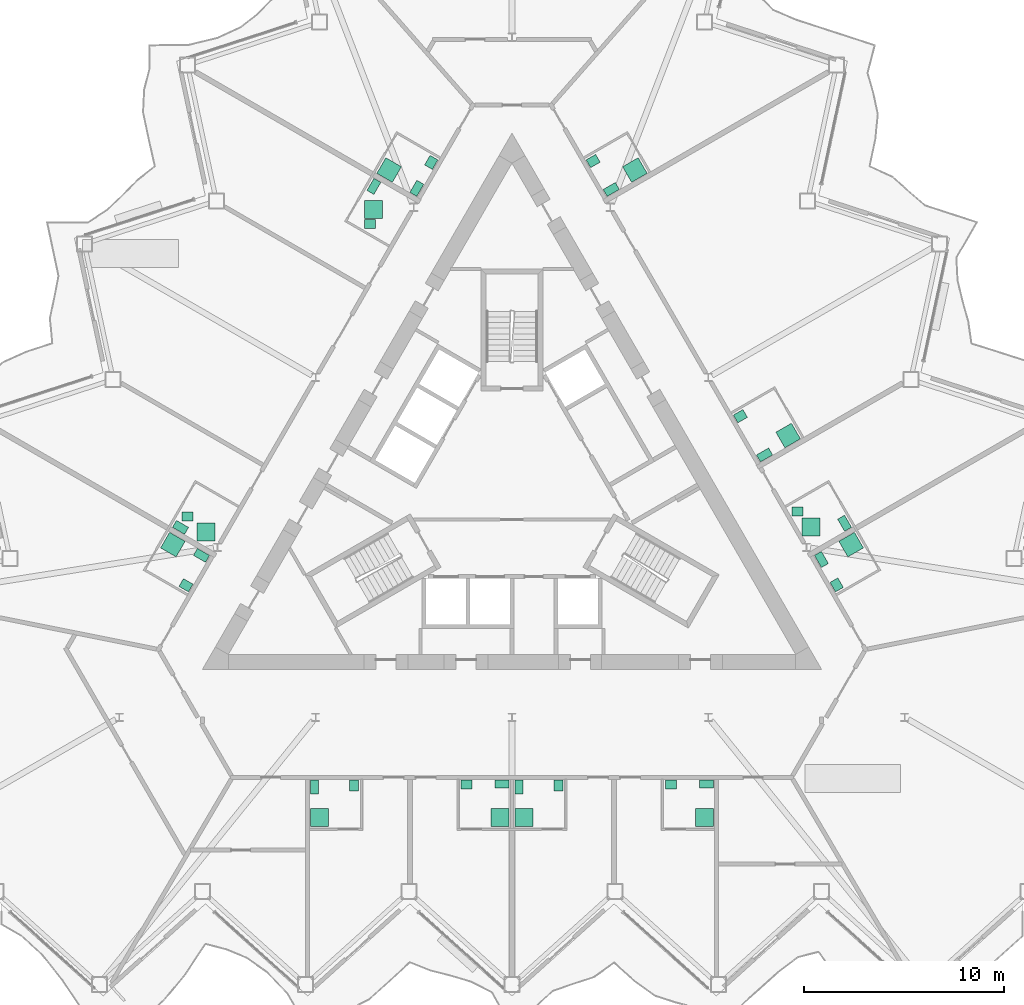
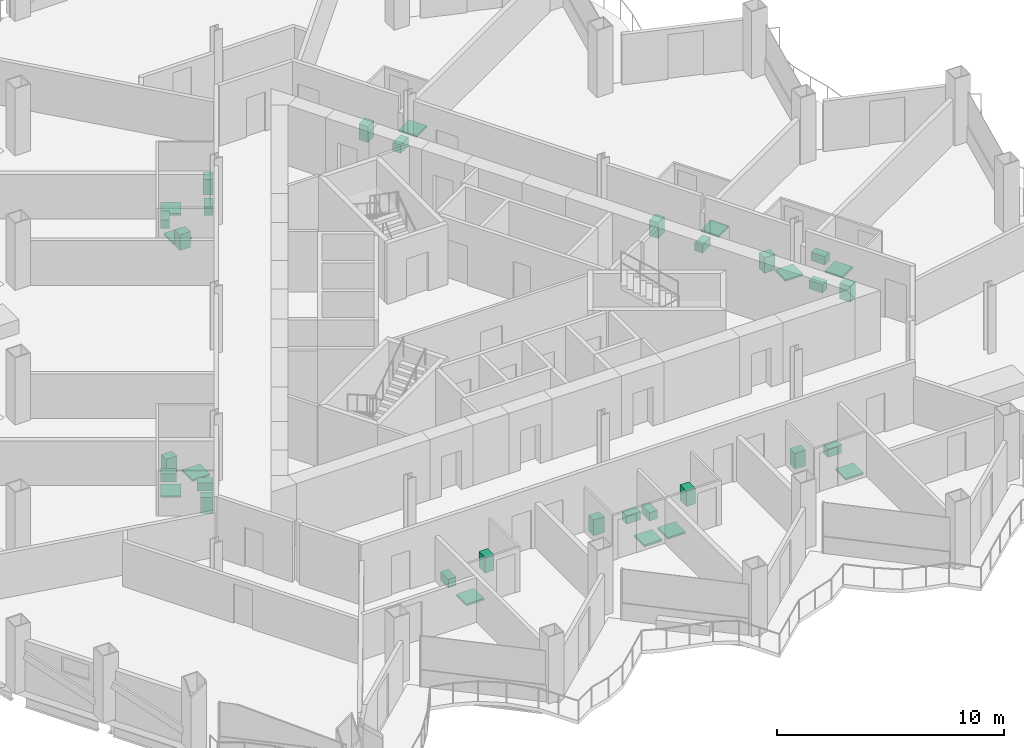
# One storey, part 22 of 23: 36 sanitary terminals.
"""IFC4 building model written with IfcOpenShell, lengths in metres."""

from ifc_helpers import new_model, si_unit, direction, frame, origin, origin_2d, place, context, subcontext, project, spatial, rectangle, extrude, material, type_object, element, save


model = new_model("IFC4")

# Units and contexts
model_context = context("Model", 3, precision=1e-05, world=origin(), true_north=direction((0.0, 1.0)))
body_context = subcontext(model_context, "Body", "Model", "MODEL_VIEW")
ifc_project = project(units=[si_unit("LENGTHUNIT", "METRE"), si_unit("AREAUNIT", "SQUARE_METRE"), si_unit("VOLUMEUNIT", "CUBIC_METRE"), si_unit("PLANEANGLEUNIT", "RADIAN"), si_unit("MASSUNIT", "GRAM", prefix="KILO")], contexts=[model_context])

# Site, building, storey
site_placement = place(None, origin())
site = spatial("IfcSite", under=ifc_project, at=site_placement, CompositionType="ELEMENT")
building_placement = place(site_placement, origin())
building = spatial("IfcBuilding", under=site, at=building_placement, Name="Cormorant Prow Tower", CompositionType="ELEMENT")
storey_placement = place(building_placement, frame((0.0, 0.0, 176.39990234375)))
storey = spatial("IfcBuildingStorey", under=building, at=storey_placement, Name="L37", CompositionType="ELEMENT", Elevation=176.39990234375)

# Sanitary terminals
ifc_material_1 = material(Name="Vitreous china")
sanitary_terminal_type_1 = type_object("IfcSanitaryTerminalType", Name="Shower tray 900x900", PredefinedType="SHOWER", material=ifc_material_1)
for number, where, z_axis, x_axis, name in (
    (1, (-9.636474609375, -16.35400390625, 0.0), (0.0, 0.0, 1.0), (0.0, 1.0, 0.0), "Shower tray"),
    (2, (-0.594970703125, -16.35400390625, 0.0), (0.0, 0.0, 1.0), (-1.0, 0.0, 0.0), "Shower tray"),
    (3, (0.594970703125, -16.35400390625, 0.0), (0.0, 0.0, 1.0), (0.0, 1.0, 0.0), "Shower tray"),
    (4, (9.636474609375, -16.35400390625, 0.0), (0.0, 0.0, 1.0), (-1.0, 0.0, 0.0), "Shower tray"),
    (5, (16.97802734375, -2.698974609375, 0.0), (0.0, 0.0, 1.0), (0.5, -0.866025403784, 0.0), "Shower tray"),
    (6, (14.973876953125, -1.806396484375, 0.0), (0.0, 0.0, 1.0), (1.0, 0.0, 0.0), "Shower tray"),
    (7, (13.8251953125, 2.761962890625, 0.0), (0.0, 0.0, 1.0), (-0.866025403784, -0.5, 0.0), "Shower tray"),
    (8, (6.151611328125, 16.052978515625, 0.0), (0.0, 0.0, 1.0), (-0.866025403784, -0.5, 0.0), "Shower tray"),
    (9, (-6.151611328125, 16.052978515625, 0.0), (0.0, 0.0, 1.0), (0.5, 0.866025403784, 0.0), "Shower tray"),
    (10, (-6.934814453125, 14.07666015625, 0.0), (0.0, 0.0, 1.0), (1.0, 0.0, 0.0), "Shower tray"),
    (11, (-15.316162109375, -2.056396484375, 0.0), (0.0, 0.0, 1.0), (1.0, 0.0, 0.0), "Shower tray"),
    (12, (-16.97802734375, -2.698974609375, 0.0), (0.0, 0.0, 1.0), (0.866025403784, -0.5, 0.0), "Shower tray"),
):
    element("IfcSanitaryTerminal", number, at=place(storey_placement, frame(where, z_axis=z_axis, x_axis=x_axis)), inside=storey, type_object=sanitary_terminal_type_1, Name=name, PredefinedType="SHOWER", context=body_context, shape_type="SweptSolid", body=[
        extrude(rectangle(XDim=0.89990234375, YDim=0.89990234375, at=origin_2d()), origin(), (0.0, 0.0, 1.0), 0.10009765625),
    ])
ifc_material_2 = material(Name="Vitreous china")
sanitary_terminal_type_2 = type_object("IfcSanitaryTerminalType", Name="Wash basin 550x450", PredefinedType="WASHHANDBASIN", material=ifc_material_2)
for number, where, z_axis, x_axis, name in (
    (13, (-7.9013671875, -14.768798828125, 0.0), (0.0, 0.0, 1.0), (0.0, -1.0, 0.0), "Wash basin"),
    (14, (-2.280029296875, -14.718994140625, 0.0), (0.0, 0.0, 1.0), (1.0, 0.0, 0.0), "Wash basin"),
    (15, (2.330078125, -14.768798828125, 0.0), (0.0, 0.0, 1.0), (0.0, -1.0, 0.0), "Wash basin"),
    (16, (7.951416015625, -14.718994140625, 0.0), (0.0, 0.0, 1.0), (1.0, 0.0, 0.0), "Wash basin"),
    (17, (16.254638671875, -4.7158203125, 0.0), (0.0, 0.0, 1.0), (-0.5, 0.866025403784, 0.0), "Wash basin"),
    (18, (14.298828125, -1.031494140625, 0.0), (0.0, 0.0, 1.0), (1.0, 0.0, 0.0), "Wash basin"),
    (19, (11.43505859375, 3.731689453125, 0.0), (0.0, 0.0, 1.0), (0.866025403784, 0.5, 0.0), "Wash basin"),
    (20, (4.0615234375, 16.503173828125, 0.0), (0.0, 0.0, 1.0), (0.866025403784, 0.5, 0.0), "Wash basin"),
    (21, (-4.043212890625, 16.434814453125, 0.0), (0.0, 0.0, 1.0), (-0.5, -0.866025403784, 0.0), "Wash basin"),
    (22, (-7.109619140625, 13.3515625, 0.0), (0.0, 0.0, 1.0), (1.0, 0.0, 0.0), "Wash basin"),
    (23, (-16.2412109375, -1.281494140625, 0.0), (0.0, 0.0, 1.0), (1.0, 0.0, 0.0), "Wash basin"),
    (24, (-16.322998046875, -4.734130859375, 0.0), (0.0, 0.0, 1.0), (-0.866025403784, 0.5, 0.0), "Wash basin"),
):
    element("IfcSanitaryTerminal", number, at=place(storey_placement, frame(where, z_axis=z_axis, x_axis=x_axis)), inside=storey, type_object=sanitary_terminal_type_2, Name=name, PredefinedType="WASHHANDBASIN", context=body_context, shape_type="SweptSolid", body=[
        extrude(rectangle(XDim=0.550048828125, YDim=0.449951171875, at=origin_2d()), origin(), (0.0, 0.0, 1.0), 0.85009765625),
    ])
ifc_material_3 = material(Name="Vitreous china")
sanitary_terminal_type_3 = type_object("IfcSanitaryTerminalType", Name="Water closet 400x700", PredefinedType="WCSEAT", material=ifc_material_3)
for number, where, z_axis, x_axis, name in (
    (25, (-9.886474609375, -14.843994140625, 0.0), (0.0, 0.0, 1.0), (1.0, 0.0, 0.0), "Water closet"),
    (26, (-0.4951171875, -14.69384765625, 0.0), (0.0, 0.0, 1.0), (0.0, -1.0, 0.0), "Water closet"),
    (27, (0.344970703125, -14.843994140625, 0.0), (0.0, 0.0, 1.0), (1.0, 0.0, 0.0), "Water closet"),
    (28, (9.736328125, -14.69384765625, 0.0), (0.0, 0.0, 1.0), (0.0, -1.0, 0.0), "Water closet"),
    (29, (15.490478515625, -3.4423828125, 0.0), (0.0, 0.0, 1.0), (0.866025403784, 0.5, 0.0), "Water closet"),
    (30, (16.649658203125, -1.6298828125, 0.0), (0.0, 0.0, 1.0), (-0.866025403784, -0.5, 0.0), "Water closet"),
    (31, (12.642578125, 1.790283203125, 0.0), (0.0, 0.0, 1.0), (-0.5, 0.866025403784, 0.0), "Water closet"),
    (32, (4.968994140625, 15.081298828125, 0.0), (0.0, 0.0, 1.0), (-0.5, 0.866025403784, 0.0), "Water closet"),
    (33, (-4.763916015625, 15.13623046875, 0.0), (0.0, 0.0, 1.0), (-0.866025403784, 0.5, 0.0), "Water closet"),
    (34, (-6.9130859375, 15.23388671875, 0.0), (0.0, 0.0, 1.0), (0.866025403784, -0.5, 0.0), "Water closet"),
    (35, (-16.594482421875, -1.8349609375, 0.0), (0.0, 0.0, 1.0), (0.5, 0.866025403784, 0.0), "Water closet"),
    (36, (-15.54541015625, -3.237548828125, 0.0), (0.0, 0.0, 1.0), (-0.5, -0.866025403784, 0.0), "Water closet"),
):
    element("IfcSanitaryTerminal", number, at=place(storey_placement, frame(where, z_axis=z_axis, x_axis=x_axis)), inside=storey, type_object=sanitary_terminal_type_3, Name=name, PredefinedType="WCSEAT", context=body_context, shape_type="SweptSolid", body=[
        extrude(rectangle(XDim=0.39990234375, YDim=0.699951171875, at=origin_2d()), origin(), (0.0, 0.0, 1.0), 0.449951171875),
    ])

save(model, "model.ifc")
